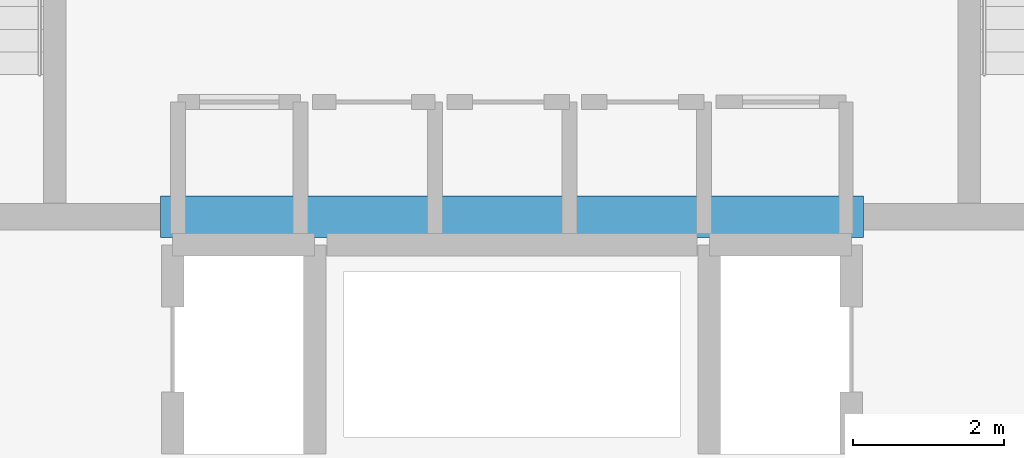
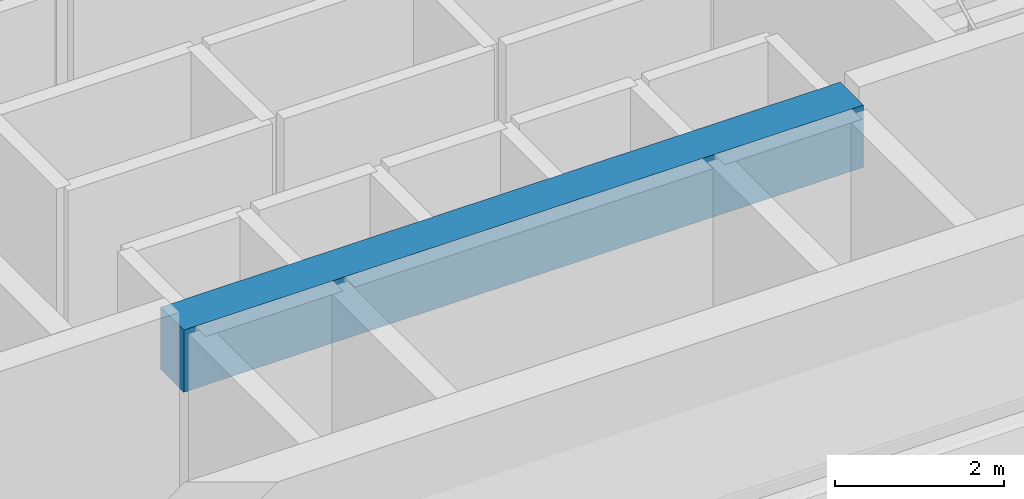
# One storey, part 10 of 42: 1 beam.
"""IFC4 building model written with IfcOpenShell, lengths in metres."""

from ifc_helpers import new_model, si_unit, direction, frame, origin, origin_2d, place, context, subcontext, project, spatial, rectangle, extrude, material, material_profile, profile_set, type_object, element, save


model = new_model("IFC4")

# Units and contexts
model_context = context("Model", 3, precision=1e-05, world=origin(), true_north=direction((0.0, 1.0)))
body_context = subcontext(model_context, "Body", "Model", "MODEL_VIEW")
ifc_project = project(units=[si_unit("LENGTHUNIT", "METRE"), si_unit("AREAUNIT", "SQUARE_METRE"), si_unit("VOLUMEUNIT", "CUBIC_METRE"), si_unit("PLANEANGLEUNIT", "RADIAN"), si_unit("MASSUNIT", "GRAM", prefix="KILO")], contexts=[model_context])

# Site, building, storey
site_placement = place(None, origin())
site = spatial("IfcSite", under=ifc_project, at=site_placement, CompositionType="ELEMENT")
building_placement = place(site_placement, origin())
building = spatial("IfcBuilding", under=site, at=building_placement, Name="Punatoya Terracotta Tower", CompositionType="ELEMENT")
storey_placement = place(building_placement, frame((0.0, 0.0, 304.800048828125)))
storey = spatial("IfcBuildingStorey", under=building, at=storey_placement, Name="L72", CompositionType="ELEMENT", Elevation=304.800048828125)

# Beam
ifc_material = material(Name="Concrete C50/60", Category="concrete")
ifc_material_profile = material_profile(ifc_material, rectangle(XDim=0.550048828125, YDim=0.89990234375, at=origin_2d()))
ifc_profile_set = profile_set([ifc_material_profile], Name="Concrete C50/60")
beam_type = type_object("IfcBeamType", Name="BM-RC-900", PredefinedType="LINTEL", material=ifc_profile_set)
beam_placement = place(storey_placement, frame((-4.64990234375, -5.679931640625, 3.550048828125), z_axis=(1.0, 0.0, 0.0), x_axis=(0.0, 1.0, 0.0)))
element("IfcBeam", 1, at=beam_placement, inside=storey, type_object=beam_type, Name="L72 Core Coupling Lintel CSW", PredefinedType="LINTEL", context=body_context, shape_type="SweptSolid", body=[
    extrude(rectangle(XDim=0.550048828125, YDim=0.89990234375, at=origin_2d()), origin(), (0.0, 0.0, 1.0), 9.2998046875),
])

save(model, "model.ifc")
